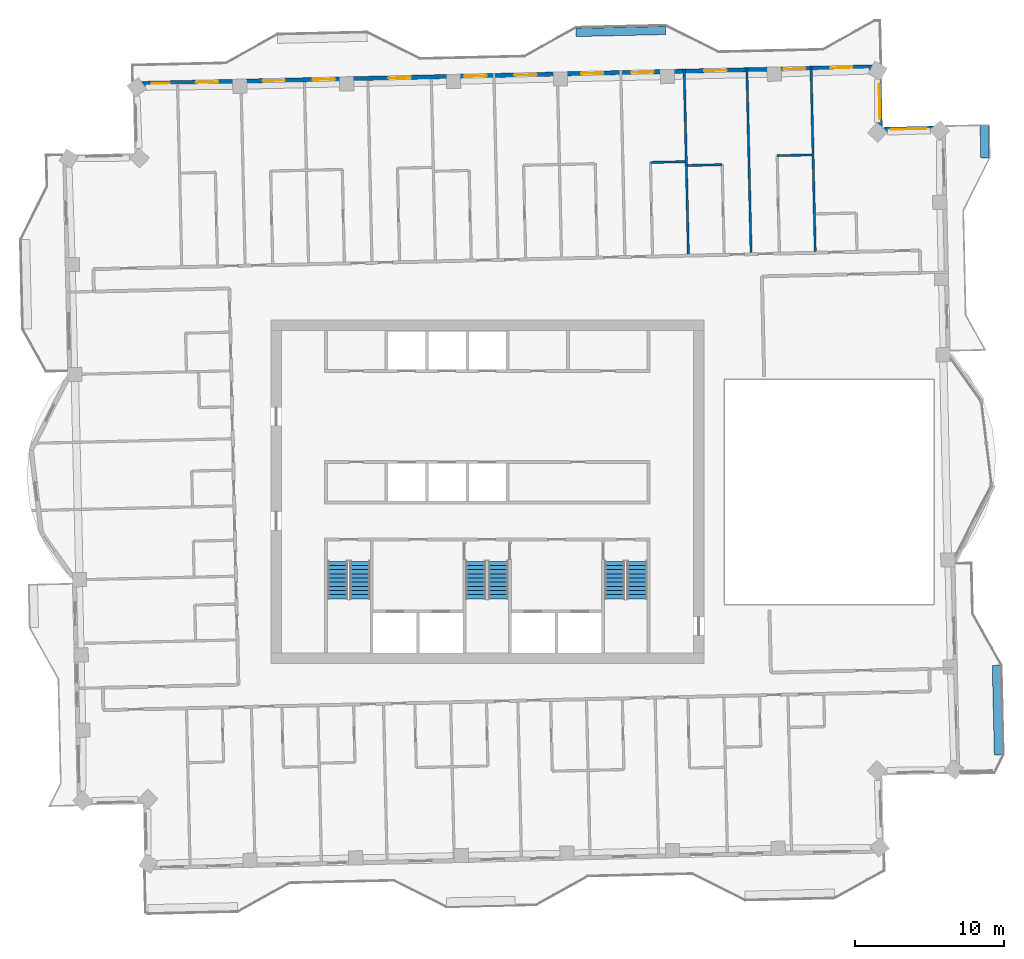
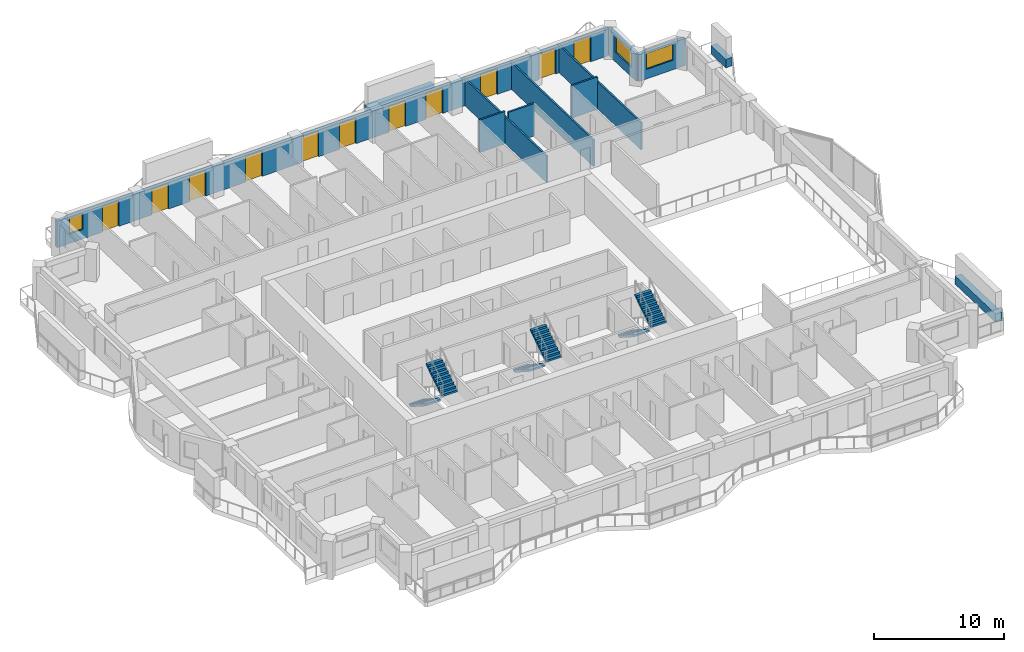
# One storey, part 15 of 19: 12 walls, 11 doors, 6 stair flights, 3 windows, 14 openings, 3 elements without a shape of their own.
"""IFC4 building model written with IfcOpenShell, lengths in metres."""

from ifc_helpers import new_model, si_unit, direction, frame, frame_2d, origin, place, context, subcontext, project, spatial, polyline, rectangle, outline, extrude, material, layer, layer_set, type_object, element, fill, aggregate, save


model = new_model("IFC4")

# Units and contexts
model_context = context("Model", 3, precision=1e-05, world=origin(), true_north=direction((0.0, 1.0)))
body_context = subcontext(model_context, "Body", "Model", "MODEL_VIEW")
ifc_project = project(units=[si_unit("LENGTHUNIT", "METRE"), si_unit("AREAUNIT", "SQUARE_METRE"), si_unit("VOLUMEUNIT", "CUBIC_METRE"), si_unit("PLANEANGLEUNIT", "RADIAN"), si_unit("MASSUNIT", "GRAM", prefix="KILO")], contexts=[model_context])

# Site, building, storey
site_placement = place(None, origin())
site = spatial("IfcSite", under=ifc_project, at=site_placement, CompositionType="ELEMENT")
building_placement = place(site_placement, origin())
building = spatial("IfcBuilding", under=site, at=building_placement, Name="Mangrove Gate Tower", CompositionType="ELEMENT")
storey_placement = place(building_placement, frame((0.0, 0.0, 297.89990234375)))
storey = spatial("IfcBuildingStorey", under=building, at=storey_placement, Name="L76", CompositionType="ELEMENT", Elevation=297.89990234375)

# Wall, opening, window
ifc_material_1 = material(Name="Limestone", Category="masonry")
ifc_layer_1 = layer(ifc_material_1, 0.0400390625, Name="Limestone cladding")
ifc_material_2 = material(Name="Ventilated air gap")
ifc_layer_2 = layer(ifc_material_2, 0.0400390625, Name="Ventilated cavity")
ifc_material_3 = material(Name="Mineral wool insulation")
ifc_layer_3 = layer(ifc_material_3, 0.06005859375, Name="Insulation")
ifc_material_4 = material(Name="Breather membrane")
ifc_layer_4 = layer(ifc_material_4, 0.001953125, Name="Breather membrane")
ifc_material_5 = material(Name="Concrete C20/25 blockwork", Category="masonry")
ifc_layer_5 = layer(ifc_material_5, 0.14990234375, Name="Blockwork backing wall")
ifc_material_6 = material(Name="Gypsum plaster")
ifc_layer_6 = layer(ifc_material_6, 0.008056640625, Name="Internal plaster")
ifc_layer_set_1 = layer_set([ifc_layer_1, ifc_layer_2, ifc_layer_3, ifc_layer_4, ifc_layer_5, ifc_layer_6], Name="External wall 300 limestone cladding")
wall_type_1 = type_object("IfcWallType", Name="External wall 300 limestone cladding", PredefinedType="SOLIDWALL", material=ifc_layer_set_1)
wall_1_placement = place(storey_placement, frame((30.510009765625, 24.362060546875, 0.0), z_axis=(0.0, 0.0, 1.0), x_axis=(-0.999739037152, -0.022844202663, 0.0)))
wall_1 = element("IfcWall", 1, at=wall_1_placement, inside=storey, type_object=wall_type_1, Name="WALL-L76-N3", PredefinedType="SOLIDWALL", context=body_context, shape_type="SweptSolid", body=[
    extrude(rectangle(XDim=4.199951171875, YDim=0.300048828125, at=frame_2d((2.10009765625, 0.0))), origin(), (0.0, 0.0, 1.0), 2.550048828125),
])
opening_1_placement = place(wall_1_placement, frame((1.10009765625, 0.0, 0.89990234375)))
opening_1 = element("IfcOpeningElement", 2, at=opening_1_placement, cuts=wall_1, Name="Opening W2", PredefinedType="OPENING", context=body_context, shape_type="SweptSolid", body=[
    extrude(rectangle(XDim=2.39990234375, YDim=1.5, at=frame_2d((1.199951171875, 0.75))), frame((0.0, 0.159912109375, 0.0), z_axis=(0.0, -1.0, 0.0), x_axis=(1.0, 0.0, 0.0)), (0.0, 0.0, 1.0), 0.320068359375),
])
ifc_material_7 = material(Name="Aluminium frame with double-glazed low-e glass", Category="aluminium")
window_type_1 = type_object("IfcWindowType", Name="Corner room window 2400x1500", PartitioningType="DOUBLE_PANEL_VERTICAL", PredefinedType="WINDOW", material=ifc_material_7)
window_1_placement = place(opening_1_placement, origin())
window_1 = element("IfcWindow", 3, at=window_1_placement, inside=storey, type_object=window_type_1, Name="WIN-L76-N3-1", OverallHeight=1.5, OverallWidth=2.39990234375, PartitioningType="DOUBLE_PANEL_VERTICAL", PredefinedType="WINDOW", context=body_context, shape_type="SweptSolid", body=[
    extrude(rectangle(XDim=2.39990234375, YDim=1.5, at=frame_2d((1.199951171875, 0.75))), frame((0.0, 0.030029296875, 0.0), z_axis=(0.0, -1.0, 0.0), x_axis=(1.0, 0.0, 0.0)), (0.0, 0.0, 1.0), 0.06005859375),
])
fill(opening_1, window_1)

wall_2_placement = place(storey_placement, frame((26.31103515625, 24.26611328125, 0.0), z_axis=(0.0, 0.0, 1.0), x_axis=(-0.022611811187, 0.999744320311, 0.0)))
wall_2 = element("IfcWall", 4, at=wall_2_placement, inside=storey, type_object=wall_type_1, Name="WALL-L76-E4", PredefinedType="SOLIDWALL", context=body_context, shape_type="SweptSolid", body=[
    extrude(rectangle(XDim=4.199951171875, YDim=0.300048828125, at=frame_2d((2.10009765625, 0.0))), origin(), (0.0, 0.0, 1.0), 2.550048828125),
])
opening_2_placement = place(wall_2_placement, frame((0.68798828125, 0.0, 0.89990234375)))
opening_2 = element("IfcOpeningElement", 5, at=opening_2_placement, cuts=wall_2, Name="Opening W2", PredefinedType="OPENING", context=body_context, shape_type="SweptSolid", body=[
    extrude(rectangle(XDim=2.39990234375, YDim=1.5, at=frame_2d((1.199951171875, 0.75))), frame((0.0, 0.159912109375, 0.0), z_axis=(0.0, -1.0, 0.0), x_axis=(1.0, 0.0, 0.0)), (0.0, 0.0, 1.0), 0.320068359375),
])
window_2_placement = place(opening_2_placement, origin())
window_2 = element("IfcWindow", 6, at=window_2_placement, inside=storey, type_object=window_type_1, Name="WIN-L76-E4-1", OverallHeight=1.5, OverallWidth=2.39990234375, PartitioningType="DOUBLE_PANEL_VERTICAL", PredefinedType="WINDOW", context=body_context, shape_type="SweptSolid", body=[
    extrude(rectangle(XDim=2.39990234375, YDim=1.5, at=frame_2d((1.199951171875, 0.75))), frame((0.0, 0.030029296875, 0.0), z_axis=(0.0, -1.0, 0.0), x_axis=(1.0, 0.0, 0.0)), (0.0, 0.0, 1.0), 0.06005859375),
])
fill(opening_2, window_2)

# Wall, openings, doors, window
wall_3_placement = place(storey_placement, frame((26.216064453125, 28.465087890625, 0.0), z_axis=(0.0, 0.0, 1.0), x_axis=(-0.999742843677, -0.022677004157, 0.0)))
wall_3 = element("IfcWall", 7, at=wall_3_placement, inside=storey, type_object=wall_type_1, Name="WALL-L76-N5", PredefinedType="SOLIDWALL", context=body_context, shape_type="SweptSolid", body=[
    extrude(rectangle(XDim=49.835693359375, YDim=0.300048828125, at=frame_2d((24.91796875, 0.0))), origin(), (0.0, 0.0, 1.0), 2.5),
])
opening_3_placement = place(wall_3_placement, frame((1.762939453125, 0.0, 0.0)))
opening_3 = element("IfcOpeningElement", 8, at=opening_3_placement, cuts=wall_3, Name="Opening BD1", PredefinedType="OPENING", context=body_context, shape_type="SweptSolid", body=[
    extrude(rectangle(XDim=1.5, YDim=2.39990234375, at=frame_2d((0.75, 1.199951171875))), frame((0.0, 0.159912109375, 0.0), z_axis=(0.0, -1.0, 0.0), x_axis=(1.0, 0.0, 0.0)), (0.0, 0.0, 1.0), 0.320068359375),
])
opening_4_placement = place(wall_3_placement, frame((4.912109375, 0.0, 0.0)))
opening_4 = element("IfcOpeningElement", 9, at=opening_4_placement, cuts=wall_3, Name="Opening BD1", PredefinedType="OPENING", context=body_context, shape_type="SweptSolid", body=[
    extrude(rectangle(XDim=1.5, YDim=2.39990234375, at=frame_2d((0.75, 1.199951171875))), frame((0.0, 0.159912109375, 0.0), z_axis=(0.0, -1.0, 0.0), x_axis=(1.0, 0.0, 0.0)), (0.0, 0.0, 1.0), 0.320068359375),
])
opening_5_placement = place(wall_3_placement, frame((10.18603515625, 0.0, 0.0)))
opening_5 = element("IfcOpeningElement", 10, at=opening_5_placement, cuts=wall_3, Name="Opening BD1", PredefinedType="OPENING", context=body_context, shape_type="SweptSolid", body=[
    extrude(rectangle(XDim=1.5, YDim=2.39990234375, at=frame_2d((0.75, 1.199951171875))), frame((0.0, 0.159912109375, 0.0), z_axis=(0.0, -1.0, 0.0), x_axis=(1.0, 0.0, 0.0)), (0.0, 0.0, 1.0), 0.320068359375),
])
opening_6_placement = place(wall_3_placement, frame((15.093017578125, 0.0, 0.0)))
opening_6 = element("IfcOpeningElement", 11, at=opening_6_placement, cuts=wall_3, Name="Opening BD1", PredefinedType="OPENING", context=body_context, shape_type="SweptSolid", body=[
    extrude(rectangle(XDim=1.5, YDim=2.39990234375, at=frame_2d((0.75, 1.199951171875))), frame((0.0, 0.159912109375, 0.0), z_axis=(0.0, -1.0, 0.0), x_axis=(1.0, 0.0, 0.0)), (0.0, 0.0, 1.0), 0.320068359375),
])
opening_7_placement = place(wall_3_placement, frame((18.448974609375, 0.0, 0.0)))
opening_7 = element("IfcOpeningElement", 12, at=opening_7_placement, cuts=wall_3, Name="Opening BD1", PredefinedType="OPENING", context=body_context, shape_type="SweptSolid", body=[
    extrude(rectangle(XDim=1.5, YDim=2.39990234375, at=frame_2d((0.75, 1.199951171875))), frame((0.0, 0.159912109375, 0.0), z_axis=(0.0, -1.0, 0.0), x_axis=(1.0, 0.0, 0.0)), (0.0, 0.0, 1.0), 0.320068359375),
])
opening_8_placement = place(wall_3_placement, frame((22.924072265625, 0.0, 0.0)))
opening_8 = element("IfcOpeningElement", 13, at=opening_8_placement, cuts=wall_3, Name="Opening BD1", PredefinedType="OPENING", context=body_context, shape_type="SweptSolid", body=[
    extrude(rectangle(XDim=1.5, YDim=2.39990234375, at=frame_2d((0.75, 1.199951171875))), frame((0.0, 0.159912109375, 0.0), z_axis=(0.0, -1.0, 0.0), x_axis=(1.0, 0.0, 0.0)), (0.0, 0.0, 1.0), 0.320068359375),
])
opening_9_placement = place(wall_3_placement, frame((26.280029296875, 0.0, 0.0)))
opening_9 = element("IfcOpeningElement", 14, at=opening_9_placement, cuts=wall_3, Name="Opening BD1", PredefinedType="OPENING", context=body_context, shape_type="SweptSolid", body=[
    extrude(rectangle(XDim=1.5, YDim=2.39990234375, at=frame_2d((0.75, 1.199951171875))), frame((0.0, 0.159912109375, 0.0), z_axis=(0.0, -1.0, 0.0), x_axis=(1.0, 0.0, 0.0)), (0.0, 0.0, 1.0), 0.320068359375),
])
opening_10_placement = place(wall_3_placement, frame((31.361083984375, 0.0, 0.0)))
opening_10 = element("IfcOpeningElement", 15, at=opening_10_placement, cuts=wall_3, Name="Opening BD1", PredefinedType="OPENING", context=body_context, shape_type="SweptSolid", body=[
    extrude(rectangle(XDim=1.5, YDim=2.39990234375, at=frame_2d((0.75, 1.199951171875))), frame((0.0, 0.159912109375, 0.0), z_axis=(0.0, -1.0, 0.0), x_axis=(1.0, 0.0, 0.0)), (0.0, 0.0, 1.0), 0.320068359375),
])
opening_11_placement = place(wall_3_placement, frame((36.43701171875, 0.0, 0.0)))
opening_11 = element("IfcOpeningElement", 16, at=opening_11_placement, cuts=wall_3, Name="Opening BD1", PredefinedType="OPENING", context=body_context, shape_type="SweptSolid", body=[
    extrude(rectangle(XDim=1.5, YDim=2.39990234375, at=frame_2d((0.75, 1.199951171875))), frame((0.0, 0.159912109375, 0.0), z_axis=(0.0, -1.0, 0.0), x_axis=(1.0, 0.0, 0.0)), (0.0, 0.0, 1.0), 0.320068359375),
])
opening_12_placement = place(wall_3_placement, frame((39.79296875, 0.0, 0.0)))
opening_12 = element("IfcOpeningElement", 17, at=opening_12_placement, cuts=wall_3, Name="Opening BD1", PredefinedType="OPENING", context=body_context, shape_type="SweptSolid", body=[
    extrude(rectangle(XDim=1.5, YDim=2.39990234375, at=frame_2d((0.75, 1.199951171875))), frame((0.0, 0.159912109375, 0.0), z_axis=(0.0, -1.0, 0.0), x_axis=(1.0, 0.0, 0.0)), (0.0, 0.0, 1.0), 0.320068359375),
])
opening_13_placement = place(wall_3_placement, frame((44.26708984375, 0.0, 0.0)))
opening_13 = element("IfcOpeningElement", 18, at=opening_13_placement, cuts=wall_3, Name="Opening BD1", PredefinedType="OPENING", context=body_context, shape_type="SweptSolid", body=[
    extrude(rectangle(XDim=1.5, YDim=2.39990234375, at=frame_2d((0.75, 1.199951171875))), frame((0.0, 0.159912109375, 0.0), z_axis=(0.0, -1.0, 0.0), x_axis=(1.0, 0.0, 0.0)), (0.0, 0.0, 1.0), 0.320068359375),
])
opening_14_placement = place(wall_3_placement, frame((47.52392578125, 0.0, 0.89990234375)))
opening_14 = element("IfcOpeningElement", 19, at=opening_14_placement, cuts=wall_3, Name="Opening W1", PredefinedType="OPENING", context=body_context, shape_type="SweptSolid", body=[
    extrude(rectangle(XDim=1.199951171875, YDim=1.5, at=frame_2d((0.60009765625, 0.75))), frame((0.0, 0.159912109375, 0.0), z_axis=(0.0, -1.0, 0.0), x_axis=(1.0, 0.0, 0.0)), (0.0, 0.0, 1.0), 0.320068359375),
])
ifc_material_8 = material(Name="Aluminium frame with laminated clear glass", Category="aluminium")
door_type = type_object("IfcDoorType", Name="Balcony sliding door 1500x2400", OperationType="SLIDING_TO_LEFT", PredefinedType="DOOR", material=ifc_material_8)
door_1_placement = place(opening_3_placement, origin())
door_1 = element("IfcDoor", 20, at=door_1_placement, inside=storey, type_object=door_type, Name="DOOR-L76-N5-1", OperationType="SLIDING_TO_LEFT", OverallHeight=2.39990234375, OverallWidth=1.5, PredefinedType="DOOR", context=body_context, shape_type="SweptSolid", body=[
    extrude(rectangle(XDim=1.5, YDim=2.39990234375, at=frame_2d((0.75, 1.199951171875))), frame((0.0, 0.02490234375, 0.0), z_axis=(0.0, -1.0, 0.0), x_axis=(1.0, 0.0, 0.0)), (0.0, 0.0, 1.0), 0.050048828125),
])
fill(opening_3, door_1)
door_2_placement = place(opening_4_placement, origin())
door_2 = element("IfcDoor", 21, at=door_2_placement, inside=storey, type_object=door_type, Name="DOOR-L76-N5-2", OperationType="SLIDING_TO_LEFT", OverallHeight=2.39990234375, OverallWidth=1.5, PredefinedType="DOOR", context=body_context, shape_type="SweptSolid", body=[
    extrude(rectangle(XDim=1.5, YDim=2.39990234375, at=frame_2d((0.75, 1.199951171875))), frame((0.0, 0.02490234375, 0.0), z_axis=(0.0, -1.0, 0.0), x_axis=(1.0, 0.0, 0.0)), (0.0, 0.0, 1.0), 0.050048828125),
])
fill(opening_4, door_2)
door_3_placement = place(opening_5_placement, origin())
door_3 = element("IfcDoor", 22, at=door_3_placement, inside=storey, type_object=door_type, Name="DOOR-L76-N5-3", OperationType="SLIDING_TO_LEFT", OverallHeight=2.39990234375, OverallWidth=1.5, PredefinedType="DOOR", context=body_context, shape_type="SweptSolid", body=[
    extrude(rectangle(XDim=1.5, YDim=2.39990234375, at=frame_2d((0.75, 1.199951171875))), frame((0.0, 0.02490234375, 0.0), z_axis=(0.0, -1.0, 0.0), x_axis=(1.0, 0.0, 0.0)), (0.0, 0.0, 1.0), 0.050048828125),
])
fill(opening_5, door_3)
door_4_placement = place(opening_6_placement, origin())
door_4 = element("IfcDoor", 23, at=door_4_placement, inside=storey, type_object=door_type, Name="DOOR-L76-N5-4", OperationType="SLIDING_TO_LEFT", OverallHeight=2.39990234375, OverallWidth=1.5, PredefinedType="DOOR", context=body_context, shape_type="SweptSolid", body=[
    extrude(rectangle(XDim=1.5, YDim=2.39990234375, at=frame_2d((0.75, 1.199951171875))), frame((0.0, 0.02490234375, 0.0), z_axis=(0.0, -1.0, 0.0), x_axis=(1.0, 0.0, 0.0)), (0.0, 0.0, 1.0), 0.050048828125),
])
fill(opening_6, door_4)
door_5_placement = place(opening_7_placement, origin())
door_5 = element("IfcDoor", 24, at=door_5_placement, inside=storey, type_object=door_type, Name="DOOR-L76-N5-5", OperationType="SLIDING_TO_LEFT", OverallHeight=2.39990234375, OverallWidth=1.5, PredefinedType="DOOR", context=body_context, shape_type="SweptSolid", body=[
    extrude(rectangle(XDim=1.5, YDim=2.39990234375, at=frame_2d((0.75, 1.199951171875))), frame((0.0, 0.02490234375, 0.0), z_axis=(0.0, -1.0, 0.0), x_axis=(1.0, 0.0, 0.0)), (0.0, 0.0, 1.0), 0.050048828125),
])
fill(opening_7, door_5)
door_6_placement = place(opening_8_placement, origin())
door_6 = element("IfcDoor", 25, at=door_6_placement, inside=storey, type_object=door_type, Name="DOOR-L76-N5-6", OperationType="SLIDING_TO_LEFT", OverallHeight=2.39990234375, OverallWidth=1.5, PredefinedType="DOOR", context=body_context, shape_type="SweptSolid", body=[
    extrude(rectangle(XDim=1.5, YDim=2.39990234375, at=frame_2d((0.75, 1.199951171875))), frame((0.0, 0.02490234375, 0.0), z_axis=(0.0, -1.0, 0.0), x_axis=(1.0, 0.0, 0.0)), (0.0, 0.0, 1.0), 0.050048828125),
])
fill(opening_8, door_6)
door_7_placement = place(opening_9_placement, origin())
door_7 = element("IfcDoor", 26, at=door_7_placement, inside=storey, type_object=door_type, Name="DOOR-L76-N5-7", OperationType="SLIDING_TO_LEFT", OverallHeight=2.39990234375, OverallWidth=1.5, PredefinedType="DOOR", context=body_context, shape_type="SweptSolid", body=[
    extrude(rectangle(XDim=1.5, YDim=2.39990234375, at=frame_2d((0.75, 1.199951171875))), frame((0.0, 0.02490234375, 0.0), z_axis=(0.0, -1.0, 0.0), x_axis=(1.0, 0.0, 0.0)), (0.0, 0.0, 1.0), 0.050048828125),
])
fill(opening_9, door_7)
door_8_placement = place(opening_10_placement, origin())
door_8 = element("IfcDoor", 27, at=door_8_placement, inside=storey, type_object=door_type, Name="DOOR-L76-N5-8", OperationType="SLIDING_TO_LEFT", OverallHeight=2.39990234375, OverallWidth=1.5, PredefinedType="DOOR", context=body_context, shape_type="SweptSolid", body=[
    extrude(rectangle(XDim=1.5, YDim=2.39990234375, at=frame_2d((0.75, 1.199951171875))), frame((0.0, 0.02490234375, 0.0), z_axis=(0.0, -1.0, 0.0), x_axis=(1.0, 0.0, 0.0)), (0.0, 0.0, 1.0), 0.050048828125),
])
fill(opening_10, door_8)
door_9_placement = place(opening_11_placement, origin())
door_9 = element("IfcDoor", 28, at=door_9_placement, inside=storey, type_object=door_type, Name="DOOR-L76-N5-9", OperationType="SLIDING_TO_LEFT", OverallHeight=2.39990234375, OverallWidth=1.5, PredefinedType="DOOR", context=body_context, shape_type="SweptSolid", body=[
    extrude(rectangle(XDim=1.5, YDim=2.39990234375, at=frame_2d((0.75, 1.199951171875))), frame((0.0, 0.02490234375, 0.0), z_axis=(0.0, -1.0, 0.0), x_axis=(1.0, 0.0, 0.0)), (0.0, 0.0, 1.0), 0.050048828125),
])
fill(opening_11, door_9)
door_10_placement = place(opening_12_placement, origin())
door_10 = element("IfcDoor", 29, at=door_10_placement, inside=storey, type_object=door_type, Name="DOOR-L76-N5-10", OperationType="SLIDING_TO_LEFT", OverallHeight=2.39990234375, OverallWidth=1.5, PredefinedType="DOOR", context=body_context, shape_type="SweptSolid", body=[
    extrude(rectangle(XDim=1.5, YDim=2.39990234375, at=frame_2d((0.75, 1.199951171875))), frame((0.0, 0.02490234375, 0.0), z_axis=(0.0, -1.0, 0.0), x_axis=(1.0, 0.0, 0.0)), (0.0, 0.0, 1.0), 0.050048828125),
])
fill(opening_12, door_10)
door_11_placement = place(opening_13_placement, origin())
door_11 = element("IfcDoor", 30, at=door_11_placement, inside=storey, type_object=door_type, Name="DOOR-L76-N5-11", OperationType="SLIDING_TO_LEFT", OverallHeight=2.39990234375, OverallWidth=1.5, PredefinedType="DOOR", context=body_context, shape_type="SweptSolid", body=[
    extrude(rectangle(XDim=1.5, YDim=2.39990234375, at=frame_2d((0.75, 1.199951171875))), frame((0.0, 0.02490234375, 0.0), z_axis=(0.0, -1.0, 0.0), x_axis=(1.0, 0.0, 0.0)), (0.0, 0.0, 1.0), 0.050048828125),
])
fill(opening_13, door_11)
ifc_material_9 = material(Name="Aluminium frame with double-glazed low-e glass", Category="aluminium")
window_type_2 = type_object("IfcWindowType", Name="Side lite 1200x1500", PartitioningType="SINGLE_PANEL", PredefinedType="WINDOW", material=ifc_material_9)
window_3_placement = place(opening_14_placement, origin())
window_3 = element("IfcWindow", 31, at=window_3_placement, inside=storey, type_object=window_type_2, Name="WIN-L76-N5-12", OverallHeight=1.5, OverallWidth=1.199951171875, PartitioningType="SINGLE_PANEL", PredefinedType="WINDOW", context=body_context, shape_type="SweptSolid", body=[
    extrude(rectangle(XDim=1.199951171875, YDim=1.5, at=frame_2d((0.60009765625, 0.75))), frame((0.0, 0.030029296875, 0.0), z_axis=(0.0, -1.0, 0.0), x_axis=(1.0, 0.0, 0.0)), (0.0, 0.0, 1.0), 0.06005859375),
])
fill(opening_14, window_3)

# Walls
ifc_material_10 = material(Name="Gypsum board on steel stud, EI 60", Category="steel")
ifc_layer_7 = layer(ifc_material_10, 0.14990234375)
ifc_layer_set_2 = layer_set([ifc_layer_7], Name="Party wall 150 EI 60")
wall_type_2 = type_object("IfcWallType", Name="Party wall 150 EI 60", PredefinedType="PARTITIONING", material=ifc_layer_set_2)
for number, where, z_axis, x_axis, name in (
    (32, (13.458984375, 15.923095703125, 0.0), (0.0, 0.0, 1.0), (-0.022661475803, 0.999743195783, 0.0), "WALL-L76-077"),
    (33, (17.657958984375, 16.01806640625, 0.0), (0.0, 0.0, 1.0), (-0.022661475803, 0.999743195783, 0.0), "WALL-L76-079"),
):
    element("IfcWall", number, at=place(storey_placement, frame(where, z_axis=z_axis, x_axis=x_axis)), inside=storey, type_object=wall_type_2, Name=name, PredefinedType="PARTITIONING", context=body_context, shape_type="SweptSolid", body=[
        extrude(rectangle(XDim=12.400146484375, YDim=0.14990234375, at=frame_2d((6.2001953125, 0.0))), origin(), (0.0, 0.0, 1.0), 2.5),
    ])
wall_4_placement = place(storey_placement, frame((21.95703125, 16.115966796875, 0.0), z_axis=(0.0, 0.0, 1.0), x_axis=(-0.022663260168, 0.999743155335, 0.0)))
element("IfcWall", 34, at=wall_4_placement, inside=storey, type_object=wall_type_2, Name="WALL-L76-081", PredefinedType="PARTITIONING", context=body_context, shape_type="SweptSolid", body=[
    extrude(rectangle(XDim=12.399169921875, YDim=0.14990234375, at=frame_2d((6.19970703125, 0.0))), origin(), (0.0, 0.0, 1.0), 2.550048828125),
])
for number, where, z_axis, x_axis, name in (
    (35, (13.40087890625, 21.863037109375, 0.0), (0.0, 0.0, 1.0), (0.99974053329, 0.022778632478, 0.0), "WALL-L76-085"),
    (36, (10.9208984375, 22.06689453125, 0.0), (0.0, 0.0, 1.0), (0.999750007167, 0.022358961731, 0.0), "WALL-L76-090"),
):
    element("IfcWall", number, at=place(storey_placement, frame(where, z_axis=z_axis, x_axis=x_axis)), inside=storey, type_object=wall_type_2, Name=name, PredefinedType="PARTITIONING", context=body_context, shape_type="SweptSolid", body=[
        extrude(rectangle(XDim=2.32568359375, YDim=0.14990234375, at=frame_2d((1.162841796875, 0.0))), origin(), (0.0, 0.0, 1.0), 3.050048828125),
    ])
wall_5_placement = place(storey_placement, frame((19.4130859375, 22.52001953125, 0.0), z_axis=(0.0, 0.0, 1.0), x_axis=(0.999749954681, 0.022361308448, 0.0)))
element("IfcWall", 37, at=wall_5_placement, inside=storey, type_object=wall_type_2, Name="WALL-L76-091", PredefinedType="PARTITIONING", context=body_context, shape_type="SweptSolid", body=[
    extrude(rectangle(XDim=2.325439453125, YDim=0.14990234375, at=frame_2d((1.16259765625, 0.0))), origin(), (0.0, 0.0, 1.0), 3.050048828125),
])
ifc_material_11 = material(Name="Concrete C32/40", Category="concrete")
ifc_layer_8 = layer(ifc_material_11, 0.199951171875, Name="Planter trough wall")
ifc_material_12 = material(Name="Bituminous waterproofing membrane")
ifc_layer_9 = layer(ifc_material_12, 0.0048828125, Name="Waterproofing")
ifc_material_13 = material(Name="Drainage board and gravel")
ifc_layer_10 = layer(ifc_material_13, 0.044921875, Name="Drainage layer")
ifc_material_14 = material(Name="Planting soil")
ifc_layer_11 = layer(ifc_material_14, 0.300048828125, Name="Growing medium")
ifc_layer_set_3 = layer_set([ifc_layer_8, ifc_layer_9, ifc_layer_10, ifc_layer_11], Name="Planter wall 550 C32/40")
wall_type_3 = type_object("IfcWallType", Name="Planter wall 550 C32/40", PredefinedType="USERDEFINED", material=ifc_layer_set_3)
wall_6_placement = place(storey_placement, frame((34.22802734375, -17.614013671875, 0.0), z_axis=(0.0, 0.0, 1.0), x_axis=(-0.022665943652, 0.999743094499, 0.0)))
element("IfcWall", 38, at=wall_6_placement, inside=storey, type_object=wall_type_3, Name="PLANTER L76 E0.1", ObjectType="PLANTER", PredefinedType="USERDEFINED", context=body_context, shape_type="SweptSolid", body=[
    extrude(rectangle(XDim=5.99951171875, YDim=0.550048828125, at=frame_2d((2.999755859375, 0.0))), origin(), (0.0, 0.0, 1.0), 0.800048828125),
])
wall_7_placement = place(storey_placement, frame((33.321044921875, 22.375, 0.0), z_axis=(0.0, 0.0, 1.0), x_axis=(-0.022744087289, 0.999741319789, 0.0)))
element("IfcWall", 39, at=wall_7_placement, inside=storey, type_object=wall_type_3, Name="PLANTER L76 E1.1", ObjectType="PLANTER", PredefinedType="USERDEFINED", context=body_context, shape_type="SweptSolid", body=[
    extrude(rectangle(XDim=2.200439453125, YDim=0.550048828125, at=frame_2d((1.10009765625, 0.0))), origin(), (0.0, 0.0, 1.0), 0.800048828125),
])
wall_8_placement = place(storey_placement, frame((5.93994140625, 30.77099609375, 0.0), z_axis=(0.0, 0.0, 1.0), x_axis=(0.999743178102, 0.022662255828, 0.0)))
element("IfcWall", 40, at=wall_8_placement, inside=storey, type_object=wall_type_3, Name="PLANTER L76 N0.1", ObjectType="PLANTER", PredefinedType="USERDEFINED", context=body_context, shape_type="SweptSolid", body=[
    extrude(rectangle(XDim=6.00048828125, YDim=0.550048828125, at=frame_2d((3.000244140625, 0.0))), origin(), (0.0, 0.0, 1.0), 0.800048828125),
])

# Stair, stair flights
ifc_material_15 = material(Name="Concrete C40/50", Category="concrete")
stair_type = type_object("IfcStairType", Name="Core stair 1350", PredefinedType="HALF_TURN_STAIR", material=ifc_material_15)
stair_1_placement = place(storey_placement, origin())
stair_1 = element("IfcStair", 41, at=stair_1_placement, inside=storey, type_object=stair_type, Name="L76 Stair 1", PredefinedType="HALF_TURN_STAIR")
ifc_material_16 = material(Name="Concrete C40/50", Category="concrete")
stair_flight_type = type_object("IfcStairFlightType", Name="Core stair flight 1350", PredefinedType="STRAIGHT", material=ifc_material_16)
stair_flight_1_placement = place(storey_placement, frame((-10.02490234375, -4.64990234375, 0.0), z_axis=(0.0, 0.0, 1.0), x_axis=(0.0, -1.0, 0.0)))
stair_flight_1 = element("IfcStairFlight", 42, at=stair_flight_1_placement, type_object=stair_flight_type, Name="ST1 flight 1", NumberOfRisers=10, NumberOfTreads=9, PredefinedType="STRAIGHT", RiserHeight=0.18, TreadLength=0.28, context=body_context, shape_type="SweptSolid", body=[
    extrude(outline(polyline([(0.0, 0.0), (0.0, 0.179931640625), (0.280029296875, 0.179931640625), (0.280029296875, 0.360107421875), (0.56005859375, 0.360107421875), (0.56005859375, 0.5400390625), (0.840087890625, 0.5400390625), (0.840087890625, 0.719970703125), (1.1201171875, 0.719970703125), (1.1201171875, 0.89990234375), (1.39990234375, 0.89990234375), (1.39990234375, 1.080078125), (1.679931640625, 1.080078125), (1.679931640625, 1.260009765625), (1.9599609375, 1.260009765625), (1.9599609375, 1.43994140625), (2.239990234375, 1.43994140625), (2.239990234375, 1.6201171875), (2.52001953125, 1.6201171875), (2.52001953125, 1.800048828125), (2.52001953125, 1.44189453125), (0.277099609375, 0.0), (0.0, 0.0)])), frame((0.0, 0.675048828125, 0.0), z_axis=(0.0, -1.0, 0.0), x_axis=(1.0, 0.0, 0.0)), (0.0, 0.0, 1.0), 1.35009765625),
])
stair_flight_2_placement = place(storey_placement, frame((-8.52490234375, -7.169921875, 1.800048828125), z_axis=(0.0, 0.0, 1.0), x_axis=(0.0, 1.0, 0.0)))
stair_flight_2 = element("IfcStairFlight", 43, at=stair_flight_2_placement, type_object=stair_flight_type, Name="ST1 flight 2", NumberOfRisers=10, NumberOfTreads=9, PredefinedType="STRAIGHT", RiserHeight=0.18, TreadLength=0.28, context=body_context, shape_type="SweptSolid", body=[
    extrude(outline(polyline([(0.0, 0.0), (0.0, 0.179931640625), (0.280029296875, 0.179931640625), (0.280029296875, 0.360107421875), (0.56005859375, 0.360107421875), (0.56005859375, 0.5400390625), (0.840087890625, 0.5400390625), (0.840087890625, 0.719970703125), (1.1201171875, 0.719970703125), (1.1201171875, 0.89990234375), (1.39990234375, 0.89990234375), (1.39990234375, 1.080078125), (1.679931640625, 1.080078125), (1.679931640625, 1.260009765625), (1.9599609375, 1.260009765625), (1.9599609375, 1.43994140625), (2.239990234375, 1.43994140625), (2.239990234375, 1.6201171875), (2.52001953125, 1.6201171875), (2.52001953125, 1.800048828125), (2.52001953125, 1.44189453125), (0.277099609375, 0.0), (0.0, 0.0)])), frame((0.0, 0.675048828125, 0.0), z_axis=(0.0, -1.0, 0.0), x_axis=(1.0, 0.0, 0.0)), (0.0, 0.0, 1.0), 1.35009765625),
])
aggregate(stair_1, [stair_flight_1, stair_flight_2])

stair_2_placement = place(storey_placement, origin())
stair_2 = element("IfcStair", 44, at=stair_2_placement, inside=storey, type_object=stair_type, Name="L76 Stair 2", PredefinedType="HALF_TURN_STAIR")
stair_flight_3_placement = place(storey_placement, frame((-0.77490234375, -4.64990234375, 0.0), z_axis=(0.0, 0.0, 1.0), x_axis=(0.0, -1.0, 0.0)))
stair_flight_3 = element("IfcStairFlight", 45, at=stair_flight_3_placement, type_object=stair_flight_type, Name="ST2 flight 1", NumberOfRisers=10, NumberOfTreads=9, PredefinedType="STRAIGHT", RiserHeight=0.18, TreadLength=0.28, context=body_context, shape_type="SweptSolid", body=[
    extrude(outline(polyline([(0.0, 0.0), (0.0, 0.179931640625), (0.280029296875, 0.179931640625), (0.280029296875, 0.360107421875), (0.56005859375, 0.360107421875), (0.56005859375, 0.5400390625), (0.840087890625, 0.5400390625), (0.840087890625, 0.719970703125), (1.1201171875, 0.719970703125), (1.1201171875, 0.89990234375), (1.39990234375, 0.89990234375), (1.39990234375, 1.080078125), (1.679931640625, 1.080078125), (1.679931640625, 1.260009765625), (1.9599609375, 1.260009765625), (1.9599609375, 1.43994140625), (2.239990234375, 1.43994140625), (2.239990234375, 1.6201171875), (2.52001953125, 1.6201171875), (2.52001953125, 1.800048828125), (2.52001953125, 1.44189453125), (0.277099609375, 0.0), (0.0, 0.0)])), frame((0.0, 0.675048828125, 0.0), z_axis=(0.0, -1.0, 0.0), x_axis=(1.0, 0.0, 0.0)), (0.0, 0.0, 1.0), 1.35009765625),
])
stair_flight_4_placement = place(storey_placement, frame((0.72509765625, -7.169921875, 1.800048828125), z_axis=(0.0, 0.0, 1.0), x_axis=(0.0, 1.0, 0.0)))
stair_flight_4 = element("IfcStairFlight", 46, at=stair_flight_4_placement, type_object=stair_flight_type, Name="ST2 flight 2", NumberOfRisers=10, NumberOfTreads=9, PredefinedType="STRAIGHT", RiserHeight=0.18, TreadLength=0.28, context=body_context, shape_type="SweptSolid", body=[
    extrude(outline(polyline([(0.0, 0.0), (0.0, 0.179931640625), (0.280029296875, 0.179931640625), (0.280029296875, 0.360107421875), (0.56005859375, 0.360107421875), (0.56005859375, 0.5400390625), (0.840087890625, 0.5400390625), (0.840087890625, 0.719970703125), (1.1201171875, 0.719970703125), (1.1201171875, 0.89990234375), (1.39990234375, 0.89990234375), (1.39990234375, 1.080078125), (1.679931640625, 1.080078125), (1.679931640625, 1.260009765625), (1.9599609375, 1.260009765625), (1.9599609375, 1.43994140625), (2.239990234375, 1.43994140625), (2.239990234375, 1.6201171875), (2.52001953125, 1.6201171875), (2.52001953125, 1.800048828125), (2.52001953125, 1.44189453125), (0.277099609375, 0.0), (0.0, 0.0)])), frame((0.0, 0.675048828125, 0.0), z_axis=(0.0, -1.0, 0.0), x_axis=(1.0, 0.0, 0.0)), (0.0, 0.0, 1.0), 1.35009765625),
])
aggregate(stair_2, [stair_flight_3, stair_flight_4])

stair_3_placement = place(storey_placement, origin())
stair_3 = element("IfcStair", 47, at=stair_3_placement, inside=storey, type_object=stair_type, Name="L76 Stair 3", PredefinedType="HALF_TURN_STAIR")
stair_flight_5_placement = place(storey_placement, frame((8.52490234375, -4.64990234375, 0.0), z_axis=(0.0, 0.0, 1.0), x_axis=(0.0, -1.0, 0.0)))
stair_flight_5 = element("IfcStairFlight", 48, at=stair_flight_5_placement, type_object=stair_flight_type, Name="ST3 flight 1", NumberOfRisers=10, NumberOfTreads=9, PredefinedType="STRAIGHT", RiserHeight=0.18, TreadLength=0.28, context=body_context, shape_type="SweptSolid", body=[
    extrude(outline(polyline([(0.0, 0.0), (0.0, 0.179931640625), (0.280029296875, 0.179931640625), (0.280029296875, 0.360107421875), (0.56005859375, 0.360107421875), (0.56005859375, 0.5400390625), (0.840087890625, 0.5400390625), (0.840087890625, 0.719970703125), (1.1201171875, 0.719970703125), (1.1201171875, 0.89990234375), (1.39990234375, 0.89990234375), (1.39990234375, 1.080078125), (1.679931640625, 1.080078125), (1.679931640625, 1.260009765625), (1.9599609375, 1.260009765625), (1.9599609375, 1.43994140625), (2.239990234375, 1.43994140625), (2.239990234375, 1.6201171875), (2.52001953125, 1.6201171875), (2.52001953125, 1.800048828125), (2.52001953125, 1.44189453125), (0.277099609375, 0.0), (0.0, 0.0)])), frame((0.0, 0.675048828125, 0.0), z_axis=(0.0, -1.0, 0.0), x_axis=(1.0, 0.0, 0.0)), (0.0, 0.0, 1.0), 1.35009765625),
])
stair_flight_6_placement = place(storey_placement, frame((10.02490234375, -7.169921875, 1.800048828125), z_axis=(0.0, 0.0, 1.0), x_axis=(0.0, 1.0, 0.0)))
stair_flight_6 = element("IfcStairFlight", 49, at=stair_flight_6_placement, type_object=stair_flight_type, Name="ST3 flight 2", NumberOfRisers=10, NumberOfTreads=9, PredefinedType="STRAIGHT", RiserHeight=0.18, TreadLength=0.28, context=body_context, shape_type="SweptSolid", body=[
    extrude(outline(polyline([(0.0, 0.0), (0.0, 0.179931640625), (0.280029296875, 0.179931640625), (0.280029296875, 0.360107421875), (0.56005859375, 0.360107421875), (0.56005859375, 0.5400390625), (0.840087890625, 0.5400390625), (0.840087890625, 0.719970703125), (1.1201171875, 0.719970703125), (1.1201171875, 0.89990234375), (1.39990234375, 0.89990234375), (1.39990234375, 1.080078125), (1.679931640625, 1.080078125), (1.679931640625, 1.260009765625), (1.9599609375, 1.260009765625), (1.9599609375, 1.43994140625), (2.239990234375, 1.43994140625), (2.239990234375, 1.6201171875), (2.52001953125, 1.6201171875), (2.52001953125, 1.800048828125), (2.52001953125, 1.44189453125), (0.277099609375, 0.0), (0.0, 0.0)])), frame((0.0, 0.675048828125, 0.0), z_axis=(0.0, -1.0, 0.0), x_axis=(1.0, 0.0, 0.0)), (0.0, 0.0, 1.0), 1.35009765625),
])
aggregate(stair_3, [stair_flight_5, stair_flight_6])

save(model, "model.ifc")
